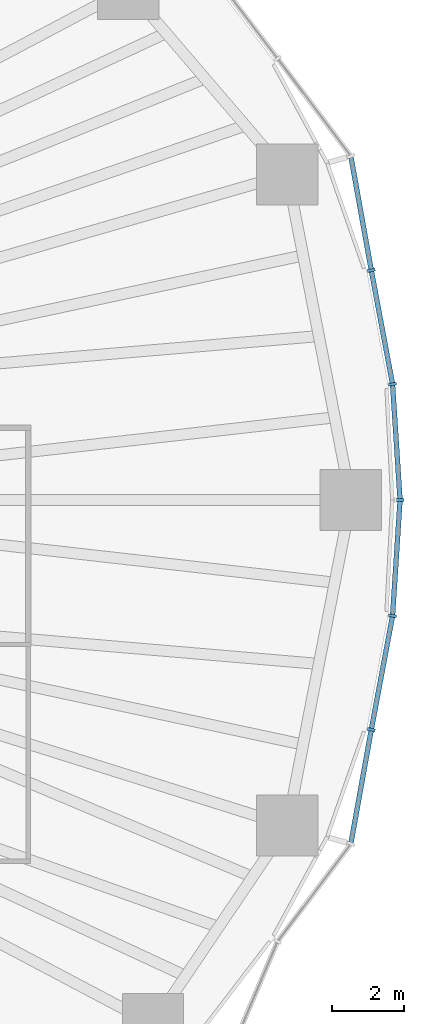
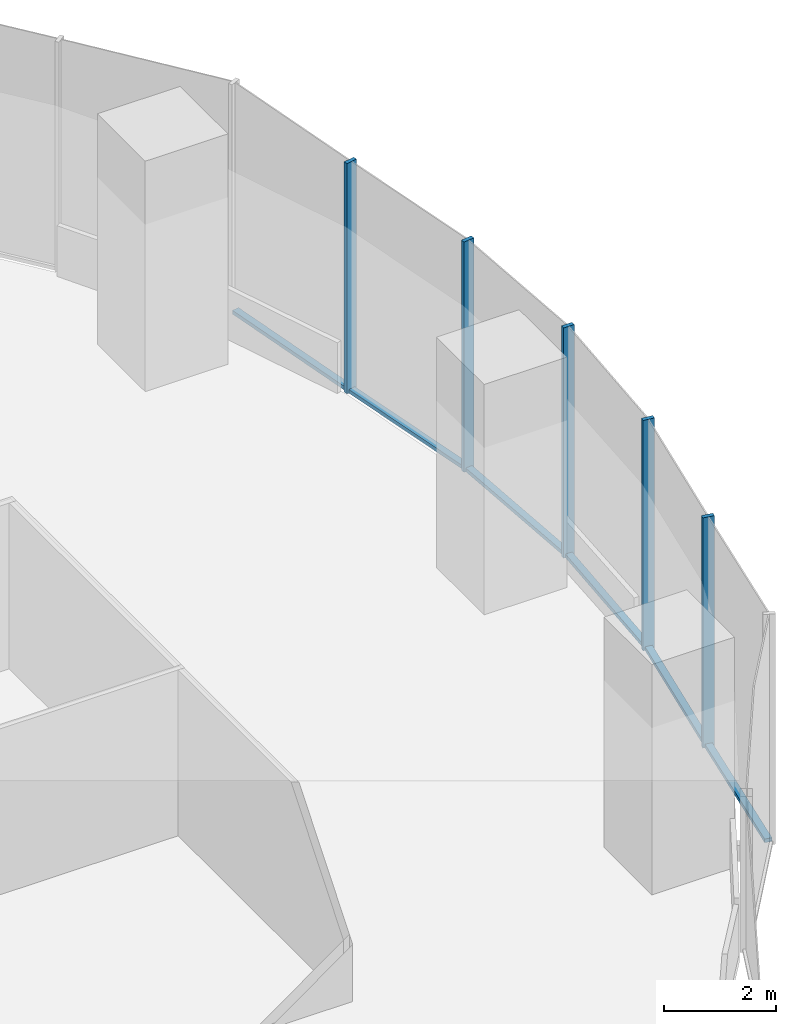
# One storey, part 7 of 20: 11 members, 2 elements without a shape of their own.
"""IFC4 building model written with IfcOpenShell, lengths in metres."""

from ifc_helpers import new_model, si_unit, direction, frame, origin, origin_2d, place, context, subcontext, project, spatial, rectangle, extrude, material, material_profile, profile_set, type_object, element, aggregate, save


model = new_model("IFC4")

# Units and contexts
model_context = context("Model", 3, precision=1e-05, world=origin(), true_north=direction((0.0, 1.0)))
body_context = subcontext(model_context, "Body", "Model", "MODEL_VIEW")
ifc_project = project(units=[si_unit("LENGTHUNIT", "METRE"), si_unit("AREAUNIT", "SQUARE_METRE"), si_unit("VOLUMEUNIT", "CUBIC_METRE"), si_unit("PLANEANGLEUNIT", "RADIAN"), si_unit("MASSUNIT", "GRAM", prefix="KILO")], contexts=[model_context])

# Site, building, storey
site_placement = place(None, origin())
site = spatial("IfcSite", under=ifc_project, at=site_placement, CompositionType="ELEMENT")
building_placement = place(site_placement, origin())
building = spatial("IfcBuilding", under=site, at=building_placement, Name="Ghaith Harvest Tower", CompositionType="ELEMENT")
storey_placement = place(building_placement, frame((0.0, 0.0, 80.0)))
storey = spatial("IfcBuildingStorey", under=building, at=storey_placement, Name="L16", CompositionType="ELEMENT", Elevation=80.0)

# Curtain wall, members
ifc_material_1 = material(Name="Black anodised aluminium and fritted glass", Category="aluminium")
curtain_wall_type = type_object("IfcCurtainWallType", Name="CW-F CURTAIN WALL", PredefinedType="NOTDEFINED", material=ifc_material_1)
curtain_wall_1_placement = place(storey_placement, origin())
curtain_wall_1 = element("IfcCurtainWall", 1, at=curtain_wall_1_placement, inside=storey, type_object=curtain_wall_type, Name="Curtain wall CW-F bay 01 L16", PredefinedType="NOTDEFINED")
ifc_material_2 = material(Name="Aluminium, black anodised", Category="aluminium")
ifc_material_profile_1 = material_profile(ifc_material_2, rectangle(XDim=0.080078125, YDim=0.219970703125, at=origin_2d()), Name="CW-F MULLION 80x220")
ifc_profile_set_1 = profile_set([ifc_material_profile_1], Name="Aluminium, black anodised")
member_type_1 = type_object("IfcMemberType", Name="CW-F MULLION 80x220", PredefinedType="MULLION", material=ifc_profile_set_1)
member_1_placement = place(storey_placement, frame((34.284912109375, 0.0, 0.0), z_axis=(0.0, 0.0, 1.0), x_axis=(1.05e-10, 1.0, 0.0)))
member_1 = element("IfcMember", 2, at=member_1_placement, type_object=member_type_1, Name="CW-F mullion 1 bay 01 L16", PredefinedType="MULLION", context=body_context, shape_type="SweptSolid", body=[
    extrude(rectangle(XDim=0.080078125, YDim=0.219970703125, at=origin_2d()), origin(), (0.0, 0.0, 1.0), 5.0),
])
member_2_placement = place(storey_placement, frame((34.077880859375, 3.205322265625, 0.0), z_axis=(0.0, 0.0, 1.0), x_axis=(-0.12416951168, 0.992261020281, 0.0)))
member_2 = element("IfcMember", 3, at=member_2_placement, type_object=member_type_1, Name="CW-F mullion 2 bay 01 L16", PredefinedType="MULLION", context=body_context, shape_type="SweptSolid", body=[
    extrude(rectangle(XDim=0.080078125, YDim=0.219970703125, at=origin_2d()), origin(), (0.0, 0.0, 1.0), 5.0),
])
member_3_placement = place(storey_placement, frame((33.489501953125, 6.3564453125, 0.0), z_axis=(0.0, 0.0, 1.0), x_axis=(-0.179943325455, 0.98367697931, 0.0)))
member_3 = element("IfcMember", 4, at=member_3_placement, type_object=member_type_1, Name="CW-F mullion 3 bay 01 L16", PredefinedType="MULLION", context=body_context, shape_type="SweptSolid", body=[
    extrude(rectangle(XDim=0.080078125, YDim=0.219970703125, at=origin_2d()), origin(), (0.0, 0.0, 1.0), 5.0),
])

curtain_wall_2_placement = place(storey_placement, origin())
curtain_wall_2 = element("IfcCurtainWall", 5, at=curtain_wall_2_placement, inside=storey, type_object=curtain_wall_type, Name="Curtain wall CW-F bay 20 L16", PredefinedType="NOTDEFINED")
member_4_placement = place(storey_placement, frame((33.489501953125, -6.3564453125, 0.0), z_axis=(0.0, 0.0, 1.0), x_axis=(0.17994332573, 0.98367697926, 0.0)))
member_4 = element("IfcMember", 6, at=member_4_placement, type_object=member_type_1, Name="CW-F mullion 2 bay 20 L16", PredefinedType="MULLION", context=body_context, shape_type="SweptSolid", body=[
    extrude(rectangle(XDim=0.080078125, YDim=0.219970703125, at=origin_2d()), origin(), (0.0, 0.0, 1.0), 5.0),
])
member_5_placement = place(storey_placement, frame((34.077880859375, -3.205322265625, 0.0), z_axis=(0.0, 0.0, 1.0), x_axis=(0.124169511819, 0.992261020264, 0.0)))
member_5 = element("IfcMember", 7, at=member_5_placement, type_object=member_type_1, Name="CW-F mullion 3 bay 20 L16", PredefinedType="MULLION", context=body_context, shape_type="SweptSolid", body=[
    extrude(rectangle(XDim=0.080078125, YDim=0.219970703125, at=origin_2d()), origin(), (0.0, 0.0, 1.0), 5.0),
])

# Member
ifc_material_3 = material(Name="Aluminium, black anodised", Category="aluminium")
ifc_material_profile_2 = material_profile(ifc_material_3, rectangle(XDim=0.139892578125, YDim=0.080078125, at=origin_2d()), Name="CW-F TRANSOM 140x80")
ifc_profile_set_2 = profile_set([ifc_material_profile_2], Name="Aluminium, black anodised")
member_type_2 = type_object("IfcMemberType", Name="CW-F TRANSOM 140x80", PredefinedType="USERDEFINED", material=ifc_profile_set_2)
member_6_placement = place(storey_placement, frame((34.282470703125, 0.039794921875, 0.0400390625), z_axis=(-0.064459898973, 0.997920298132, 0.0), x_axis=(-0.997920298132, -0.064459898973, 0.0)))
member_6 = element("IfcMember", 8, at=member_6_placement, type_object=member_type_2, Name="CW-F transom 1 bay 01 L16", ObjectType="TRANSOM", PredefinedType="USERDEFINED", context=body_context, shape_type="SweptSolid", body=[
    extrude(rectangle(XDim=0.139892578125, YDim=0.080078125, at=origin_2d()), origin(), (0.0, 0.0, 1.0), 3.13232421875),
])

member_7_placement = place(storey_placement, frame((34.070556640625, 3.24462890625, 0.0400390625), z_axis=(-0.183557496381, 0.983008975301, 0.0), x_axis=(-0.983008975301, -0.183557496381, 0.0)))
member_7 = element("IfcMember", 9, at=member_7_placement, type_object=member_type_2, Name="CW-F transom 2 bay 01 L16", ObjectType="TRANSOM", PredefinedType="USERDEFINED", context=body_context, shape_type="SweptSolid", body=[
    extrude(rectangle(XDim=0.139892578125, YDim=0.080078125, at=origin_2d()), origin(), (0.0, 0.0, 1.0), 3.125732421875),
])

member_8_placement = place(storey_placement, frame((33.482421875, 6.395751953125, 0.0400390625), z_axis=(-0.176303612865, 0.984335835013, 0.0), x_axis=(-0.984335835013, -0.176303612865, 0.0)))
member_8 = element("IfcMember", 10, at=member_8_placement, type_object=member_type_2, Name="CW-F transom 3 bay 01 L16", ObjectType="TRANSOM", PredefinedType="USERDEFINED", context=body_context, shape_type="SweptSolid", body=[
    extrude(rectangle(XDim=0.139892578125, YDim=0.080078125, at=origin_2d()), origin(), (0.0, 0.0, 1.0), 3.129638671875),
])

aggregate(curtain_wall_1, [member_1, member_6, member_2, member_7, member_3, member_8])

member_9_placement = place(storey_placement, frame((32.9306640625, -9.476318359375, 0.0400390625), z_axis=(0.176303612865, 0.984335835013, 0.0), x_axis=(-0.984335835013, 0.176303612865, 0.0)))
member_9 = element("IfcMember", 11, at=member_9_placement, type_object=member_type_2, Name="CW-F transom 1 bay 20 L16", ObjectType="TRANSOM", PredefinedType="USERDEFINED", context=body_context, shape_type="SweptSolid", body=[
    extrude(rectangle(XDim=0.139892578125, YDim=0.080078125, at=origin_2d()), origin(), (0.0, 0.0, 1.0), 3.129638671875),
])

member_10_placement = place(storey_placement, frame((33.496826171875, -6.317138671875, 0.0400390625), z_axis=(0.183557496381, 0.983008975301, 0.0), x_axis=(-0.983008975301, 0.183557496381, 0.0)))
member_10 = element("IfcMember", 12, at=member_10_placement, type_object=member_type_2, Name="CW-F transom 2 bay 20 L16", ObjectType="TRANSOM", PredefinedType="USERDEFINED", context=body_context, shape_type="SweptSolid", body=[
    extrude(rectangle(XDim=0.139892578125, YDim=0.080078125, at=origin_2d()), origin(), (0.0, 0.0, 1.0), 3.125732421875),
])

member_11_placement = place(storey_placement, frame((34.08056640625, -3.16552734375, 0.0400390625), z_axis=(0.064459898973, 0.997920298132, 0.0), x_axis=(-0.997920298132, 0.064459898973, 0.0)))
member_11 = element("IfcMember", 13, at=member_11_placement, type_object=member_type_2, Name="CW-F transom 3 bay 20 L16", ObjectType="TRANSOM", PredefinedType="USERDEFINED", context=body_context, shape_type="SweptSolid", body=[
    extrude(rectangle(XDim=0.139892578125, YDim=0.080078125, at=origin_2d()), origin(), (0.0, 0.0, 1.0), 3.13232421875),
])

aggregate(curtain_wall_2, [member_9, member_4, member_10, member_5, member_11])

save(model, "model.ifc")
